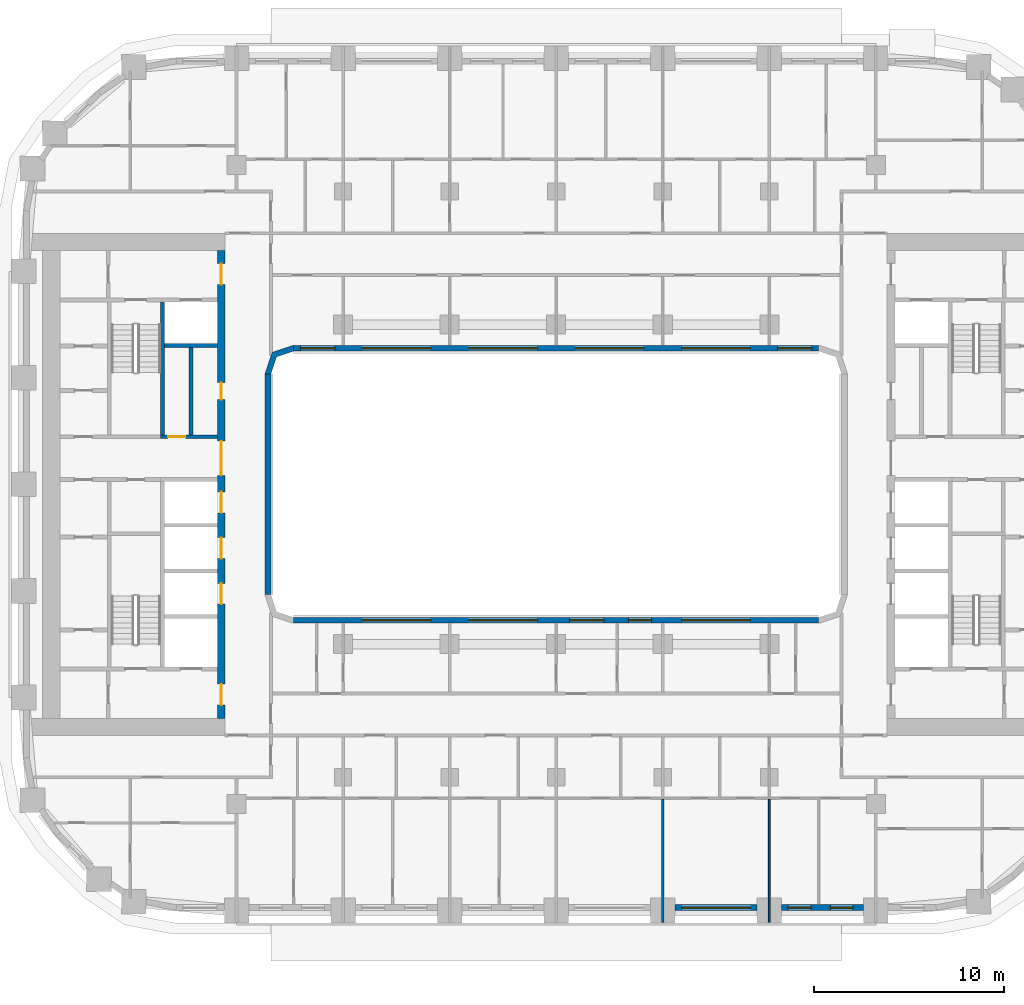
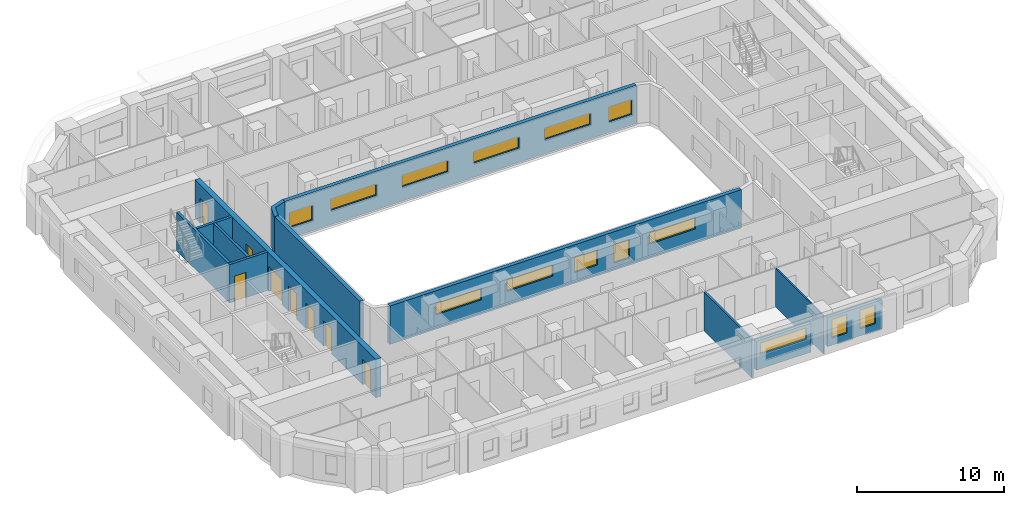
# One storey, part 5 of 22: 14 windows, 13 walls, 8 doors, 22 openings.
"""IFC4 building model written with IfcOpenShell, lengths in metres."""

import ifcopenshell
import ifcopenshell.guid

model = None  # the IFC model being written
_history = None  # IfcOwnerHistory: only IFC2X3 demands one
_inside = {}  # id of a spatial element -> (the spatial element, [elements in it])
_under = {}  # id of a project, library or spatial element -> (it, [spatial elements below it])
_declared = {}  # id of a project -> (the project, [libraries it declares])
_typed = {}  # id of a type object -> (the type object, [elements of that type])
_made_of = {}  # id of a material, layer set ... -> (it, [elements and type objects made of it])


def new_model(schema):
    """Start an empty IFC model of exactly this schema.

    Asked for "IFC4X3", IfcOpenShell would pick the latest addendum, in which some entities
    have other attributes; the version numbers below select the first issue.
    IFC2X3 requires an IfcOwnerHistory on every rooted entity: one is made here for all.
    """
    global model, _history
    if schema == "IFC4X3":
        model = ifcopenshell.file(schema_version=(4, 3, 0, 0))
    else:
        model = ifcopenshell.file(schema=schema)
    _inside.clear()
    _under.clear()
    _declared.clear()
    _typed.clear()
    _made_of.clear()
    _history = None
    if model.schema == "IFC2X3":
        org = make("IfcOrganization", Name="unknown")
        user = make(
            "IfcPersonAndOrganization",
            ThePerson=make("IfcPerson", FamilyName="unknown"),
            TheOrganization=org,
        )
        app = make(
            "IfcApplication",
            ApplicationDeveloper=org,
            Version="unknown",
            ApplicationFullName="unknown",
            ApplicationIdentifier="unknown",
        )
        _history = make(
            "IfcOwnerHistory",
            OwningUser=user,
            OwningApplication=app,
            ChangeAction="ADDED",
            CreationDate=0,
        )
    return model


def make(cls, **values):
    """One entity of the class cls with the attributes given. An attribute that is None is left unset."""
    return model.create_entity(
        cls, **{name: value for name, value in values.items() if value is not None}
    )


def rooted(cls, **values):
    """An entity with a GlobalId (a new one), such as an element, a storey or a relation."""
    return make(cls, GlobalId=ifcopenshell.guid.new(), OwnerHistory=_history, **values)


def si_unit(unit_type, name, prefix=None):
    """IfcSIUnit, for example si_unit("LENGTHUNIT", "METRE", prefix="MILLI")."""
    return make("IfcSIUnit", UnitType=unit_type, Prefix=prefix, Name=name)


def assignment(units):
    """IfcUnitAssignment: the units of a project."""
    return None if units is None else make("IfcUnitAssignment", Units=units)


def point(xyz):
    """IfcCartesianPoint."""
    return None if xyz is None else make("IfcCartesianPoint", Coordinates=xyz)


def direction(xyz):
    """IfcDirection."""
    return None if xyz is None else make("IfcDirection", DirectionRatios=xyz)


def frame(location, z_axis=None, x_axis=None):
    """IfcAxis2Placement3D, a coordinate frame: its origin and axes. An axis left out is left unset."""
    return make(
        "IfcAxis2Placement3D",
        Location=point(location),
        Axis=direction(z_axis),
        RefDirection=direction(x_axis),
    )


def frame_2d(location, x_axis=None):
    """IfcAxis2Placement2D, a coordinate frame in the plane: its origin and x axis."""
    return make(
        "IfcAxis2Placement2D", Location=point(location), RefDirection=direction(x_axis)
    )


def origin():
    """The frame at (0, 0, 0) with its axes left unset."""
    return frame((0.0, 0.0, 0.0))


def place(relative_to, where):
    """IfcLocalPlacement: puts the frame where relative to a parent placement (None: the world)."""
    return make(
        "IfcLocalPlacement", PlacementRelTo=relative_to, RelativePlacement=where
    )


def context(
    kind, dimensions, precision=None, world=None, true_north=None, identifier=None
):
    """IfcGeometricRepresentationContext, for example the 3D "Model" context."""
    return make(
        "IfcGeometricRepresentationContext",
        ContextIdentifier=identifier,
        ContextType=kind,
        CoordinateSpaceDimension=dimensions,
        Precision=precision,
        WorldCoordinateSystem=world,
        TrueNorth=true_north,
    )


def subcontext(parent, identifier, kind, view, scale=None):
    """IfcGeometricRepresentationSubContext, for example "Body" below "Model"."""
    return make(
        "IfcGeometricRepresentationSubContext",
        ContextIdentifier=identifier,
        ContextType=kind,
        ParentContext=parent,
        TargetScale=scale,
        TargetView=view,
    )


def project(units=None, contexts=None):
    """IfcProject with its units and contexts."""
    return rooted(
        "IfcProject",
        Name="project",
        RepresentationContexts=contexts,
        UnitsInContext=assignment(units),
    )


def spatial(cls, under=None, at=None, **own):
    """A site, building, storey or space (cls), placed at a placement, below another one or the project."""
    s = rooted(cls, ObjectPlacement=at, **own)
    if under is not None:
        _under.setdefault(under.id(), (under, []))[1].append(s)
    return s


def polyline(points):
    """IfcPolyline through the points."""
    return make("IfcPolyline", Points=[point(p) for p in points])


def profile(cls, at=None, kind="AREA", **sizes):
    """A parametric profile (cls). Its sizes go by their IFC names, for example OverallWidth=200.0."""
    return make(cls, ProfileType=kind, Position=at, **sizes)


def rectangle(**sizes):
    """IfcRectangleProfileDef."""
    return profile("IfcRectangleProfileDef", **sizes)


def outline(outer, holes=None, kind="AREA"):
    """IfcArbitraryClosedProfileDef: a profile drawn as a closed curve; with holes, ...WithVoids."""
    if holes is None:
        return make("IfcArbitraryClosedProfileDef", ProfileType=kind, OuterCurve=outer)
    return make(
        "IfcArbitraryProfileDefWithVoids",
        ProfileType=kind,
        OuterCurve=outer,
        InnerCurves=holes,
    )


def extrude(swept, where, along, depth):
    """IfcExtrudedAreaSolid: the profile swept, set in the frame where, extruded along a direction by depth."""
    return make(
        "IfcExtrudedAreaSolid",
        SweptArea=swept,
        Position=where,
        ExtrudedDirection=direction(along),
        Depth=depth,
    )


def shape(context_of_items, identifier, shape_type, items):
    """IfcShapeRepresentation: the items that make up one representation, for example the "Body"."""
    return make(
        "IfcShapeRepresentation",
        ContextOfItems=context_of_items,
        RepresentationIdentifier=identifier,
        RepresentationType=shape_type,
        Items=items,
    )


def material(Name=None, Category=None):
    """IfcMaterial."""
    return make("IfcMaterial", Name=Name, Category=Category)


def layer(
    of_material, thickness, ventilated=None, Name=None, Category=None, Priority=None
):
    """IfcMaterialLayer: one layer of a wall or slab, of a material (None: an air gap)."""
    return make(
        "IfcMaterialLayer",
        Material=of_material,
        LayerThickness=thickness,
        IsVentilated=ventilated,
        Name=Name,
        Category=Category,
        Priority=Priority,
    )


def layer_set(layers, Name=None):
    """IfcMaterialLayerSet."""
    return make("IfcMaterialLayerSet", MaterialLayers=layers, LayerSetName=Name)


def made_of(thing, what):
    """Note that an element or type object is made of a material, layer set ...; save() writes the relation."""
    if what is not None:
        _made_of.setdefault(what.id(), (what, []))[1].append(thing)
    return thing


def type_object(cls, material=None, **own):
    """A type object (cls), such as IfcWallType, which elements share."""
    return made_of(rooted(cls, **own), material)


def element(
    cls,
    number,
    at=None,
    inside=None,
    cuts=None,
    type_object=None,
    material=None,
    context=None,
    identifier="Body",
    shape_type=None,
    held_by="IfcProductDefinitionShape",
    body=None,
    shapes=None,
    **own,
):
    """One element of the class cls, such as IfcWall. Its Tag is "e" and its number.

    at: its placement. inside: the storey or other place that contains it. cuts: it is an
    opening in that element (IfcRelVoidsElement). A single representation is given by context,
    identifier, shape_type and body (its items); several are given by shapes. held_by: the class
    of the entity that holds the representations. save() writes the other relations.
    """
    e = rooted(cls, Tag="e%d" % number, ObjectPlacement=at, **own)
    if body is not None:
        shapes = [shape(context, identifier, shape_type, body)]
    if shapes is not None:
        e.Representation = make(held_by, Representations=shapes)
    if inside is not None:
        _inside.setdefault(inside.id(), (inside, []))[1].append(e)
    if cuts is not None:
        rooted(
            "IfcRelVoidsElement", RelatingBuildingElement=cuts, RelatedOpeningElement=e
        )
    if type_object is not None:
        _typed.setdefault(type_object.id(), (type_object, []))[1].append(e)
    return made_of(e, material)


def fill(opening, filler):
    """IfcRelFillsElement: the door or window that sits in an opening."""
    return rooted(
        "IfcRelFillsElement",
        RelatingOpeningElement=opening,
        RelatedBuildingElement=filler,
    )


def aggregate(whole, parts):
    """IfcRelAggregates: a whole, such as a stair, and the parts it consists of."""
    return rooted("IfcRelAggregates", RelatingObject=whole, RelatedObjects=parts)


def save(model, path):
    """Write the relations noted so far, then the file.

    IfcRelAggregates (storeys below a building ...), IfcRelContainedInSpatialStructure (elements
    in a storey), IfcRelDefinesByType, IfcRelAssociatesMaterial and IfcRelDeclares: one each for
    every whole, place, type object, material and project.
    """
    for whole, parts in _under.values():
        aggregate(whole, parts)
    for where, things in _inside.values():
        rooted(
            "IfcRelContainedInSpatialStructure",
            RelatedElements=things,
            RelatingStructure=where,
        )
    for kind, things in _typed.values():
        rooted("IfcRelDefinesByType", RelatedObjects=things, RelatingType=kind)
    for what, things in _made_of.values():
        rooted("IfcRelAssociatesMaterial", RelatedObjects=things, RelatingMaterial=what)
    for by, libraries in _declared.values():
        rooted("IfcRelDeclares", RelatingContext=by, RelatedDefinitions=libraries)
    model.write(path)


model = new_model("IFC4")

# Units and contexts
model_context = context("Model", 3, precision=1e-05, world=origin(), true_north=direction((0.0, 1.0)))
body_context = subcontext(model_context, "Body", "Model", "MODEL_VIEW")
ifc_project = project(units=[si_unit("LENGTHUNIT", "METRE"), si_unit("AREAUNIT", "SQUARE_METRE"), si_unit("VOLUMEUNIT", "CUBIC_METRE"), si_unit("PLANEANGLEUNIT", "RADIAN"), si_unit("MASSUNIT", "GRAM", prefix="KILO")], contexts=[model_context])

# Site, building, storey
site_placement = place(None, origin())
site = spatial("IfcSite", under=ifc_project, at=site_placement, CompositionType="ELEMENT")
building_placement = place(site_placement, origin())
building = spatial("IfcBuilding", under=site, at=building_placement, Name="Kiln Ring Residences", CompositionType="ELEMENT")
storey_placement = place(building_placement, frame((0.0, 0.0, 90.300048828125)))
storey = spatial("IfcBuildingStorey", under=building, at=storey_placement, Name="L22", CompositionType="ELEMENT", Elevation=90.300048828125)

# Wall
ifc_material_1 = material(Name="Gypsum board on steel studs", Category="steel")
ifc_layer_1 = layer(ifc_material_1, 0.199951171875)
ifc_layer_set_1 = layer_set([ifc_layer_1], Name="CORE-PARTITION-200")
wall_type_1 = type_object("IfcWallType", Name="CORE-PARTITION-200", PredefinedType="PARTITIONING", material=ifc_layer_set_1)
wall_1_placement = place(storey_placement, frame((-19.199951171875, 2.60009765625, 0.0), z_axis=(0.0, 0.0, 1.0), x_axis=(0.0, 1.0, 0.0)))
element("IfcWall", 1, at=wall_1_placement, inside=storey, type_object=wall_type_1, Name="Core partition west L22 3", PredefinedType="PARTITIONING", context=body_context, shape_type="SweptSolid", body=[
    extrude(rectangle(XDim=4.599853515625, YDim=0.199951171875, at=frame_2d((2.2998046875, 0.0))), origin(), (0.0, 0.0, 1.0), 3.199951171875),
])

# Wall, opening, door
ifc_material_2 = material(Name="Gypsum shaft wall system")
ifc_layer_2 = layer(ifc_material_2, 0.199951171875)
ifc_layer_set_2 = layer_set([ifc_layer_2], Name="CORE-SHAFT-WALL-200")
wall_type_2 = type_object("IfcWallType", Name="CORE-SHAFT-WALL-200", PredefinedType="PARTITIONING", material=ifc_layer_set_2)
wall_2_placement = place(storey_placement, frame((-17.800048828125, 2.5, 0.0), z_axis=(0.0, 0.0, 1.0), x_axis=(-1.0, 0.0, 0.0)))
wall_2 = element("IfcWall", 2, at=wall_2_placement, inside=storey, type_object=wall_type_2, Name="Core partition west L22 14", PredefinedType="PARTITIONING", context=body_context, shape_type="SweptSolid", body=[
    extrude(rectangle(XDim=3.0, YDim=0.199951171875, at=frame_2d((1.5, 0.0))), origin(), (0.0, 0.0, 1.0), 3.199951171875),
])
opening_1_placement = place(wall_2_placement, frame((1.699951171875, 0.0, 0.0)))
opening_1 = element("IfcOpeningElement", 3, at=opening_1_placement, cuts=wall_2, Name="Opening L22-CW06", PredefinedType="OPENING", context=body_context, shape_type="SweptSolid", body=[
    extrude(rectangle(XDim=0.89990234375, YDim=2.10009765625, at=frame_2d((0.449951171875, 1.050048828125))), frame((0.0, 0.10986328125, 0.0), z_axis=(0.0, -1.0, 0.0), x_axis=(1.0, 0.0, 0.0)), (0.0, 0.0, 1.0), 0.219970703125),
])
ifc_material_3 = material(Name="Steel door leaf", Category="steel")
door_type_1 = type_object("IfcDoorType", Name="CORE-DOOR-ROOM", OperationType="SINGLE_SWING_LEFT", PredefinedType="DOOR", material=ifc_material_3)
door_1_placement = place(opening_1_placement, origin())
door_1 = element("IfcDoor", 4, at=door_1_placement, inside=storey, type_object=door_type_1, Name="Cleaner's store L22-CW06", OperationType="SINGLE_SWING_LEFT", OverallHeight=2.10009765625, OverallWidth=0.89990234375, PredefinedType="DOOR", context=body_context, shape_type="SweptSolid", body=[
    extrude(rectangle(XDim=0.89990234375, YDim=2.10009765625, at=frame_2d((0.449951171875, 1.050048828125))), frame((0.0, 0.02490234375, 0.0), z_axis=(0.0, -1.0, 0.0), x_axis=(1.0, 0.0, 0.0)), (0.0, 0.0, 1.0), 0.050048828125),
])
fill(opening_1, door_1)

# Walls
wall_3_placement = place(storey_placement, frame((-17.800048828125, 7.300048828125, 0.0), z_axis=(0.0, 0.0, 1.0), x_axis=(-1.0, 0.0, 0.0)))
element("IfcWall", 5, at=wall_3_placement, inside=storey, type_object=wall_type_2, Name="Core partition west L22 15", PredefinedType="PARTITIONING", context=body_context, shape_type="SweptSolid", body=[
    extrude(rectangle(XDim=2.800048828125, YDim=0.199951171875, at=frame_2d((1.39990234375, 0.0))), origin(), (0.0, 0.0, 1.0), 3.199951171875),
])
ifc_material_4 = material(Name="Concrete C40/50", Category="concrete")
ifc_layer_3 = layer(ifc_material_4, 0.199951171875)
ifc_layer_set_3 = layer_set([ifc_layer_3], Name="CORE-WALL-RC200")
wall_type_3 = type_object("IfcWallType", Name="CORE-WALL-RC200", PredefinedType="SHEAR", material=ifc_layer_set_3)
wall_4_placement = place(storey_placement, frame((-20.699951171875, 2.60009765625, 0.0), z_axis=(0.0, 0.0, 1.0), x_axis=(0.0, 1.0, 0.0)))
element("IfcWall", 6, at=wall_4_placement, inside=storey, type_object=wall_type_3, Name="Core wall west L22 1", PredefinedType="SHEAR", context=body_context, shape_type="SweptSolid", body=[
    extrude(rectangle(XDim=7.0, YDim=0.199951171875, at=frame_2d((3.5, 0.0))), origin(), (0.0, 0.0, 1.0), 3.199951171875),
])

# Wall, openings, doors
ifc_material_5 = material(Name="Concrete C60/75", Category="concrete")
ifc_layer_4 = layer(ifc_material_5, 0.39990234375)
ifc_layer_set_4 = layer_set([ifc_layer_4], Name="CORE-WALL-RC400")
wall_type_4 = type_object("IfcWallType", Name="CORE-WALL-RC400", PredefinedType="SHEAR", material=ifc_layer_set_4)
wall_5_placement = place(storey_placement, frame((-17.60009765625, -12.300048828125, 0.0), z_axis=(0.0, 0.0, 1.0), x_axis=(0.0, 1.0, 0.0)))
wall_5 = element("IfcWall", 7, at=wall_5_placement, inside=storey, type_object=wall_type_4, Name="Core wall west L22 6", PredefinedType="SHEAR", context=body_context, shape_type="SweptSolid", body=[
    extrude(rectangle(XDim=24.60009765625, YDim=0.39990234375, at=frame_2d((12.300048828125, 0.0))), origin(), (0.0, 0.0, 1.0), 3.199951171875),
])
opening_2_placement = place(wall_5_placement, frame((6.0, 0.0, 0.0)))
opening_2 = element("IfcOpeningElement", 8, at=opening_2_placement, cuts=wall_5, Name="Opening L22-CW02", PredefinedType="OPENING", context=body_context, shape_type="SweptSolid", body=[
    extrude(rectangle(XDim=1.10009765625, YDim=2.10009765625, at=frame_2d((0.550048828125, 1.050048828125))), frame((0.0, 0.2099609375, 0.0), z_axis=(0.0, -1.0, 0.0), x_axis=(1.0, 0.0, 0.0)), (0.0, 0.0, 1.0), 0.419921875),
])
opening_3_placement = place(wall_5_placement, frame((8.39990234375, 0.0, 0.0)))
opening_3 = element("IfcOpeningElement", 9, at=opening_3_placement, cuts=wall_5, Name="Opening L22-CW03", PredefinedType="OPENING", context=body_context, shape_type="SweptSolid", body=[
    extrude(rectangle(XDim=1.10009765625, YDim=2.10009765625, at=frame_2d((0.550048828125, 1.050048828125))), frame((0.0, 0.2099609375, 0.0), z_axis=(0.0, -1.0, 0.0), x_axis=(1.0, 0.0, 0.0)), (0.0, 0.0, 1.0), 0.419921875),
])
opening_4_placement = place(wall_5_placement, frame((10.800048828125, 0.0, 0.0)))
opening_4 = element("IfcOpeningElement", 10, at=opening_4_placement, cuts=wall_5, Name="Opening L22-CW04", PredefinedType="OPENING", context=body_context, shape_type="SweptSolid", body=[
    extrude(rectangle(XDim=1.10009765625, YDim=2.10009765625, at=frame_2d((0.550048828125, 1.050048828125))), frame((0.0, 0.2099609375, 0.0), z_axis=(0.0, -1.0, 0.0), x_axis=(1.0, 0.0, 0.0)), (0.0, 0.0, 1.0), 0.419921875),
])
opening_5_placement = place(wall_5_placement, frame((16.75, 0.0, 0.0)))
opening_5 = element("IfcOpeningElement", 11, at=opening_5_placement, cuts=wall_5, Name="Opening L22-CW05", PredefinedType="OPENING", context=body_context, shape_type="SweptSolid", body=[
    extrude(rectangle(XDim=0.89990234375, YDim=2.10009765625, at=frame_2d((0.449951171875, 1.050048828125))), frame((0.0, 0.2099609375, 0.0), z_axis=(0.0, -1.0, 0.0), x_axis=(1.0, 0.0, 0.0)), (0.0, 0.0, 1.0), 0.419921875),
])
opening_6_placement = place(wall_5_placement, frame((22.800048828125, 0.0, 0.0)))
opening_6 = element("IfcOpeningElement", 12, at=opening_6_placement, cuts=wall_5, Name="Opening L22-CW08", PredefinedType="OPENING", context=body_context, shape_type="SweptSolid", body=[
    extrude(rectangle(XDim=1.10009765625, YDim=2.10009765625, at=frame_2d((0.550048828125, 1.050048828125))), frame((0.0, 0.2099609375, 0.0), z_axis=(0.0, -1.0, 0.0), x_axis=(1.0, 0.0, 0.0)), (0.0, 0.0, 1.0), 0.419921875),
])
opening_7_placement = place(wall_5_placement, frame((0.699951171875, 0.0, 0.0)))
opening_7 = element("IfcOpeningElement", 13, at=opening_7_placement, cuts=wall_5, Name="Opening L22-CW09", PredefinedType="OPENING", context=body_context, shape_type="SweptSolid", body=[
    extrude(rectangle(XDim=1.10009765625, YDim=2.10009765625, at=frame_2d((0.550048828125, 1.050048828125))), frame((0.0, 0.2099609375, 0.0), z_axis=(0.0, -1.0, 0.0), x_axis=(1.0, 0.0, 0.0)), (0.0, 0.0, 1.0), 0.419921875),
])
opening_8_placement = place(wall_5_placement, frame((12.77490234375, 0.0, 0.0)))
opening_8 = element("IfcOpeningElement", 14, at=opening_8_placement, cuts=wall_5, Name="Opening L22-CW14", PredefinedType="OPENING", context=body_context, shape_type="SweptSolid", body=[
    extrude(rectangle(XDim=1.800048828125, YDim=2.10009765625, at=frame_2d((0.89990234375, 1.050048828125))), frame((0.0, 0.2099609375, 0.0), z_axis=(0.0, -1.0, 0.0), x_axis=(1.0, 0.0, 0.0)), (0.0, 0.0, 1.0), 0.419921875),
])
ifc_material_6 = material(Name="Steel door leaf", Category="steel")
door_type_2 = type_object("IfcDoorType", Name="CORE-DOOR-LD", OperationType="DOUBLE_DOOR_SLIDING", PredefinedType="DOOR", material=ifc_material_6)
door_2_placement = place(opening_2_placement, origin())
door_2 = element("IfcDoor", 15, at=door_2_placement, inside=storey, type_object=door_type_2, Name="LD W-L1 L22-CW02", OperationType="DOUBLE_DOOR_SLIDING", OverallHeight=2.10009765625, OverallWidth=1.10009765625, PredefinedType="DOOR", context=body_context, shape_type="SweptSolid", body=[
    extrude(rectangle(XDim=1.10009765625, YDim=2.10009765625, at=frame_2d((0.550048828125, 1.050048828125))), frame((0.0, 0.02490234375, 0.0), z_axis=(0.0, -1.0, 0.0), x_axis=(1.0, 0.0, 0.0)), (0.0, 0.0, 1.0), 0.050048828125),
])
fill(opening_2, door_2)
door_3_placement = place(opening_3_placement, origin())
door_3 = element("IfcDoor", 16, at=door_3_placement, inside=storey, type_object=door_type_2, Name="LD W-L2 L22-CW03", OperationType="DOUBLE_DOOR_SLIDING", OverallHeight=2.10009765625, OverallWidth=1.10009765625, PredefinedType="DOOR", context=body_context, shape_type="SweptSolid", body=[
    extrude(rectangle(XDim=1.10009765625, YDim=2.10009765625, at=frame_2d((0.550048828125, 1.050048828125))), frame((0.0, 0.02490234375, 0.0), z_axis=(0.0, -1.0, 0.0), x_axis=(1.0, 0.0, 0.0)), (0.0, 0.0, 1.0), 0.050048828125),
])
fill(opening_3, door_3)
door_4_placement = place(opening_4_placement, origin())
door_4 = element("IfcDoor", 17, at=door_4_placement, inside=storey, type_object=door_type_2, Name="LD W-L3 L22-CW04", OperationType="DOUBLE_DOOR_SLIDING", OverallHeight=2.10009765625, OverallWidth=1.10009765625, PredefinedType="DOOR", context=body_context, shape_type="SweptSolid", body=[
    extrude(rectangle(XDim=1.10009765625, YDim=2.10009765625, at=frame_2d((0.550048828125, 1.050048828125))), frame((0.0, 0.02490234375, 0.0), z_axis=(0.0, -1.0, 0.0), x_axis=(1.0, 0.0, 0.0)), (0.0, 0.0, 1.0), 0.050048828125),
])
fill(opening_4, door_4)
ifc_material_7 = material(Name="Steel door leaf", Category="steel")
door_type_3 = type_object("IfcDoorType", Name="CORE-DOOR-LOBBY", OperationType="SINGLE_SWING_LEFT", PredefinedType="DOOR", material=ifc_material_7)
door_5_placement = place(opening_6_placement, origin())
door_5 = element("IfcDoor", 18, at=door_5_placement, inside=storey, type_object=door_type_3, Name="FFL L22-CW08", OperationType="SINGLE_SWING_LEFT", OverallHeight=2.10009765625, OverallWidth=1.10009765625, PredefinedType="DOOR", context=body_context, shape_type="SweptSolid", body=[
    extrude(rectangle(XDim=1.10009765625, YDim=2.10009765625, at=frame_2d((0.550048828125, 1.050048828125))), frame((0.0, 0.02490234375, 0.0), z_axis=(0.0, -1.0, 0.0), x_axis=(1.0, 0.0, 0.0)), (0.0, 0.0, 1.0), 0.050048828125),
])
fill(opening_6, door_5)
door_6_placement = place(opening_7_placement, origin())
door_6 = element("IfcDoor", 19, at=door_6_placement, inside=storey, type_object=door_type_3, Name="SVL L22-CW09", OperationType="SINGLE_SWING_RIGHT", OverallHeight=2.10009765625, OverallWidth=1.10009765625, PredefinedType="DOOR", context=body_context, shape_type="SweptSolid", body=[
    extrude(rectangle(XDim=1.10009765625, YDim=2.10009765625, at=frame_2d((0.550048828125, 1.050048828125))), frame((0.0, 0.02490234375, 0.0), z_axis=(0.0, -1.0, 0.0), x_axis=(1.0, 0.0, 0.0)), (0.0, 0.0, 1.0), 0.050048828125),
])
fill(opening_7, door_6)
ifc_material_8 = material(Name="Steel door leaf", Category="steel")
door_type_4 = type_object("IfcDoorType", Name="CORE-DOOR-PASS", OperationType="DOUBLE_DOOR_SINGLE_SWING", PredefinedType="DOOR", material=ifc_material_8)
door_7_placement = place(opening_8_placement, origin())
door_7 = element("IfcDoor", 20, at=door_7_placement, inside=storey, type_object=door_type_4, Name="Core passage L22-CW14", OperationType="DOUBLE_DOOR_SINGLE_SWING", OverallHeight=2.10009765625, OverallWidth=1.800048828125, PredefinedType="DOOR", context=body_context, shape_type="SweptSolid", body=[
    extrude(rectangle(XDim=1.800048828125, YDim=2.10009765625, at=frame_2d((0.89990234375, 1.050048828125))), frame((0.0, 0.02490234375, 0.0), z_axis=(0.0, -1.0, 0.0), x_axis=(1.0, 0.0, 0.0)), (0.0, 0.0, 1.0), 0.050048828125),
])
fill(opening_8, door_7)
door_8_placement = place(opening_5_placement, origin())
door_8 = element("IfcDoor", 21, at=door_8_placement, inside=storey, type_object=door_type_1, Name="Storage room L22-CW05", OperationType="SINGLE_SWING_LEFT", OverallHeight=2.10009765625, OverallWidth=0.89990234375, PredefinedType="DOOR", context=body_context, shape_type="SweptSolid", body=[
    extrude(rectangle(XDim=0.89990234375, YDim=2.10009765625, at=frame_2d((0.449951171875, 1.050048828125))), frame((0.0, 0.02490234375, 0.0), z_axis=(0.0, -1.0, 0.0), x_axis=(1.0, 0.0, 0.0)), (0.0, 0.0, 1.0), 0.050048828125),
])
fill(opening_5, door_8)

# Wall, opening, window
ifc_material_9 = material(Name="Brick masonry, dark clay brick", Category="masonry")
ifc_layer_5 = layer(ifc_material_9, 0.300048828125)
ifc_layer_set_5 = layer_set([ifc_layer_5], Name="EW-300 BRICK WALL")
wall_type_5 = type_object("IfcWallType", Name="EW-300 BRICK WALL", PredefinedType="SOLIDWALL", material=ifc_layer_set_5)
wall_6_placement = place(storey_placement, frame((6.25, -22.25, 0.0), z_axis=(0.0, 0.0, 1.0), x_axis=(1.0, 0.0, 0.0)))
wall_6 = element("IfcWall", 22, at=wall_6_placement, inside=storey, type_object=wall_type_5, Name="Facade wall L22 9", PredefinedType="SOLIDWALL", context=body_context, shape_type="SweptSolid", body=[
    extrude(rectangle(XDim=4.300048828125, YDim=0.300048828125, at=frame_2d((2.14990234375, 0.0))), origin(), (0.0, 0.0, 1.0), 2.39990234375),
])
opening_9_placement = place(wall_6_placement, frame((0.35009765625, 0.0, 1.199951171875)))
opening_9 = element("IfcOpeningElement", 23, at=opening_9_placement, cuts=wall_6, Name="Opening W4", PredefinedType="OPENING", context=body_context, shape_type="SweptSolid", body=[
    extrude(rectangle(XDim=3.60009765625, YDim=0.949951171875, at=frame_2d((1.800048828125, 0.47509765625))), frame((0.0, 0.159912109375, 0.0), z_axis=(0.0, -1.0, 0.0), x_axis=(1.0, 0.0, 0.0)), (0.0, 0.0, 1.0), 0.320068359375),
])
ifc_material_10 = material(Name="Aluminium frame with double glazing", Category="aluminium")
window_type_1 = type_object("IfcWindowType", Name="WINDOW 3600 x 950", PartitioningType="SINGLE_PANEL", PredefinedType="WINDOW", material=ifc_material_10)
window_1_placement = place(opening_9_placement, origin())
window_1 = element("IfcWindow", 24, at=window_1_placement, inside=storey, type_object=window_type_1, Name="Window L22 10", OverallHeight=0.949951171875, OverallWidth=3.60009765625, PartitioningType="SINGLE_PANEL", PredefinedType="WINDOW", context=body_context, shape_type="SweptSolid", body=[
    extrude(rectangle(XDim=3.60009765625, YDim=0.949951171875, at=frame_2d((1.800048828125, 0.47509765625))), frame((0.0, 0.030029296875, 0.0), z_axis=(0.0, -1.0, 0.0), x_axis=(1.0, 0.0, 0.0)), (0.0, 0.0, 1.0), 0.06005859375),
])
fill(opening_9, window_1)

# Wall, openings, windows
wall_7_placement = place(storey_placement, frame((11.85009765625, -22.25, 0.0), z_axis=(0.0, 0.0, 1.0), x_axis=(1.0, 0.0, 0.0)))
wall_7 = element("IfcWall", 25, at=wall_7_placement, inside=storey, type_object=wall_type_5, Name="Facade wall L22 10", PredefinedType="SOLIDWALL", context=body_context, shape_type="SweptSolid", body=[
    extrude(rectangle(XDim=4.2998046875, YDim=0.300048828125, at=frame_2d((2.14990234375, 0.0))), origin(), (0.0, 0.0, 1.0), 2.39990234375),
])
opening_10_placement = place(wall_7_placement, frame((0.33740234375, 0.0, 0.60009765625)))
opening_10 = element("IfcOpeningElement", 26, at=opening_10_placement, cuts=wall_7, Name="Opening W1", PredefinedType="OPENING", context=body_context, shape_type="SweptSolid", body=[
    extrude(rectangle(XDim=1.199951171875, YDim=1.550048828125, at=frame_2d((0.60009765625, 0.77490234375))), frame((0.0, 0.159912109375, 0.0), z_axis=(0.0, -1.0, 0.0), x_axis=(1.0, 0.0, 0.0)), (0.0, 0.0, 1.0), 0.320068359375),
])
opening_11_placement = place(wall_7_placement, frame((2.5625, 0.0, 0.60009765625)))
opening_11 = element("IfcOpeningElement", 27, at=opening_11_placement, cuts=wall_7, Name="Opening W1", PredefinedType="OPENING", context=body_context, shape_type="SweptSolid", body=[
    extrude(rectangle(XDim=1.199951171875, YDim=1.550048828125, at=frame_2d((0.60009765625, 0.77490234375))), frame((0.0, 0.159912109375, 0.0), z_axis=(0.0, -1.0, 0.0), x_axis=(1.0, 0.0, 0.0)), (0.0, 0.0, 1.0), 0.320068359375),
])
ifc_material_11 = material(Name="Aluminium frame with double glazing", Category="aluminium")
window_type_2 = type_object("IfcWindowType", Name="WINDOW 1200 x 1550", PartitioningType="SINGLE_PANEL", PredefinedType="WINDOW", material=ifc_material_11)
window_2_placement = place(opening_10_placement, origin())
window_2 = element("IfcWindow", 28, at=window_2_placement, inside=storey, type_object=window_type_2, Name="Window L22 11", OverallHeight=1.550048828125, OverallWidth=1.199951171875, PartitioningType="SINGLE_PANEL", PredefinedType="WINDOW", context=body_context, shape_type="SweptSolid", body=[
    extrude(rectangle(XDim=1.199951171875, YDim=1.550048828125, at=frame_2d((0.60009765625, 0.77490234375))), frame((0.0, 0.030029296875, 0.0), z_axis=(0.0, -1.0, 0.0), x_axis=(1.0, 0.0, 0.0)), (0.0, 0.0, 1.0), 0.06005859375),
])
fill(opening_10, window_2)
window_3_placement = place(opening_11_placement, origin())
window_3 = element("IfcWindow", 29, at=window_3_placement, inside=storey, type_object=window_type_2, Name="Window L22 12", OverallHeight=1.550048828125, OverallWidth=1.199951171875, PartitioningType="SINGLE_PANEL", PredefinedType="WINDOW", context=body_context, shape_type="SweptSolid", body=[
    extrude(rectangle(XDim=1.199951171875, YDim=1.550048828125, at=frame_2d((0.60009765625, 0.77490234375))), frame((0.0, 0.030029296875, 0.0), z_axis=(0.0, -1.0, 0.0), x_axis=(1.0, 0.0, 0.0)), (0.0, 0.0, 1.0), 0.06005859375),
])
fill(opening_11, window_3)

# Wall
wall_8_placement = place(storey_placement, frame((-15.14990234375, -5.800048828125, 0.0), z_axis=(0.0, 0.0, 1.0), x_axis=(0.0, 1.0, 0.0)))
element("IfcWall", 30, at=wall_8_placement, inside=storey, type_object=wall_type_5, Name="Facade wall L22 49", PredefinedType="SOLIDWALL", context=body_context, shape_type="SweptSolid", body=[
    extrude(rectangle(XDim=11.60009765625, YDim=0.300048828125, at=frame_2d((5.800048828125, 0.0))), origin(), (0.0, 0.0, 1.0), 3.199951171875),
])

# Wall, openings, windows
wall_9_placement = place(storey_placement, frame((-13.800048828125, 7.14990234375, 0.0), z_axis=(0.0, 0.0, 1.0), x_axis=(1.0, 0.0, 0.0)))
wall_9 = element("IfcWall", 31, at=wall_9_placement, inside=storey, type_object=wall_type_5, Name="Facade wall L22 50", PredefinedType="SOLIDWALL", context=body_context, shape_type="SweptSolid", body=[
    extrude(rectangle(XDim=27.60009765625, YDim=0.300048828125, at=frame_2d((13.800048828125, 0.0))), origin(), (0.0, 0.0, 1.0), 3.199951171875),
])
opening_12_placement = place(wall_9_placement, frame((0.362548828125, 0.0, 0.89990234375)))
opening_12 = element("IfcOpeningElement", 32, at=opening_12_placement, cuts=wall_9, Name="Opening W2", PredefinedType="OPENING", context=body_context, shape_type="SweptSolid", body=[
    extrude(rectangle(XDim=1.800048828125, YDim=1.25, at=frame_2d((0.89990234375, 0.625))), frame((0.0, 0.159912109375, 0.0), z_axis=(0.0, -1.0, 0.0), x_axis=(1.0, 0.0, 0.0)), (0.0, 0.0, 1.0), 0.320068359375),
])
opening_13_placement = place(wall_9_placement, frame((3.60009765625, 0.0, 1.199951171875)))
opening_13 = element("IfcOpeningElement", 33, at=opening_13_placement, cuts=wall_9, Name="Opening W4", PredefinedType="OPENING", context=body_context, shape_type="SweptSolid", body=[
    extrude(rectangle(XDim=3.60009765625, YDim=0.949951171875, at=frame_2d((1.800048828125, 0.47509765625))), frame((0.0, 0.159912109375, 0.0), z_axis=(0.0, -1.0, 0.0), x_axis=(1.0, 0.0, 0.0)), (0.0, 0.0, 1.0), 0.320068359375),
])
opening_14_placement = place(wall_9_placement, frame((9.199951171875, 0.0, 1.199951171875)))
opening_14 = element("IfcOpeningElement", 34, at=opening_14_placement, cuts=wall_9, Name="Opening W4", PredefinedType="OPENING", context=body_context, shape_type="SweptSolid", body=[
    extrude(rectangle(XDim=3.60009765625, YDim=0.949951171875, at=frame_2d((1.800048828125, 0.47509765625))), frame((0.0, 0.159912109375, 0.0), z_axis=(0.0, -1.0, 0.0), x_axis=(1.0, 0.0, 0.0)), (0.0, 0.0, 1.0), 0.320068359375),
])
opening_15_placement = place(wall_9_placement, frame((14.800048828125, 0.0, 1.199951171875)))
opening_15 = element("IfcOpeningElement", 35, at=opening_15_placement, cuts=wall_9, Name="Opening W4", PredefinedType="OPENING", context=body_context, shape_type="SweptSolid", body=[
    extrude(rectangle(XDim=3.60009765625, YDim=0.949951171875, at=frame_2d((1.800048828125, 0.47509765625))), frame((0.0, 0.159912109375, 0.0), z_axis=(0.0, -1.0, 0.0), x_axis=(1.0, 0.0, 0.0)), (0.0, 0.0, 1.0), 0.320068359375),
])
opening_16_placement = place(wall_9_placement, frame((20.39990234375, 0.0, 1.199951171875)))
opening_16 = element("IfcOpeningElement", 36, at=opening_16_placement, cuts=wall_9, Name="Opening W4", PredefinedType="OPENING", context=body_context, shape_type="SweptSolid", body=[
    extrude(rectangle(XDim=3.60009765625, YDim=0.949951171875, at=frame_2d((1.800048828125, 0.47509765625))), frame((0.0, 0.159912109375, 0.0), z_axis=(0.0, -1.0, 0.0), x_axis=(1.0, 0.0, 0.0)), (0.0, 0.0, 1.0), 0.320068359375),
])
opening_17_placement = place(wall_9_placement, frame((25.4375, 0.0, 0.89990234375)))
opening_17 = element("IfcOpeningElement", 37, at=opening_17_placement, cuts=wall_9, Name="Opening W2", PredefinedType="OPENING", context=body_context, shape_type="SweptSolid", body=[
    extrude(rectangle(XDim=1.800048828125, YDim=1.25, at=frame_2d((0.89990234375, 0.625))), frame((0.0, 0.159912109375, 0.0), z_axis=(0.0, -1.0, 0.0), x_axis=(1.0, 0.0, 0.0)), (0.0, 0.0, 1.0), 0.320068359375),
])
ifc_material_12 = material(Name="Aluminium frame with double glazing", Category="aluminium")
window_type_3 = type_object("IfcWindowType", Name="WINDOW 1800 x 1250", PartitioningType="SINGLE_PANEL", PredefinedType="WINDOW", material=ifc_material_12)
window_4_placement = place(opening_12_placement, origin())
window_4 = element("IfcWindow", 38, at=window_4_placement, inside=storey, type_object=window_type_3, Name="Window L22 29", OverallHeight=1.25, OverallWidth=1.800048828125, PartitioningType="SINGLE_PANEL", PredefinedType="WINDOW", context=body_context, shape_type="SweptSolid", body=[
    extrude(rectangle(XDim=1.800048828125, YDim=1.25, at=frame_2d((0.89990234375, 0.625))), frame((0.0, 0.030029296875, 0.0), z_axis=(0.0, -1.0, 0.0), x_axis=(1.0, 0.0, 0.0)), (0.0, 0.0, 1.0), 0.06005859375),
])
fill(opening_12, window_4)
window_5_placement = place(opening_17_placement, origin())
window_5 = element("IfcWindow", 39, at=window_5_placement, inside=storey, type_object=window_type_3, Name="Window L22 34", OverallHeight=1.25, OverallWidth=1.800048828125, PartitioningType="SINGLE_PANEL", PredefinedType="WINDOW", context=body_context, shape_type="SweptSolid", body=[
    extrude(rectangle(XDim=1.800048828125, YDim=1.25, at=frame_2d((0.89990234375, 0.625))), frame((0.0, 0.030029296875, 0.0), z_axis=(0.0, -1.0, 0.0), x_axis=(1.0, 0.0, 0.0)), (0.0, 0.0, 1.0), 0.06005859375),
])
fill(opening_17, window_5)
window_6_placement = place(opening_13_placement, origin())
window_6 = element("IfcWindow", 40, at=window_6_placement, inside=storey, type_object=window_type_1, Name="Window L22 30", OverallHeight=0.949951171875, OverallWidth=3.60009765625, PartitioningType="SINGLE_PANEL", PredefinedType="WINDOW", context=body_context, shape_type="SweptSolid", body=[
    extrude(rectangle(XDim=3.60009765625, YDim=0.949951171875, at=frame_2d((1.800048828125, 0.47509765625))), frame((0.0, 0.030029296875, 0.0), z_axis=(0.0, -1.0, 0.0), x_axis=(1.0, 0.0, 0.0)), (0.0, 0.0, 1.0), 0.06005859375),
])
fill(opening_13, window_6)
window_7_placement = place(opening_14_placement, origin())
window_7 = element("IfcWindow", 41, at=window_7_placement, inside=storey, type_object=window_type_1, Name="Window L22 31", OverallHeight=0.949951171875, OverallWidth=3.60009765625, PartitioningType="SINGLE_PANEL", PredefinedType="WINDOW", context=body_context, shape_type="SweptSolid", body=[
    extrude(rectangle(XDim=3.60009765625, YDim=0.949951171875, at=frame_2d((1.800048828125, 0.47509765625))), frame((0.0, 0.030029296875, 0.0), z_axis=(0.0, -1.0, 0.0), x_axis=(1.0, 0.0, 0.0)), (0.0, 0.0, 1.0), 0.06005859375),
])
fill(opening_14, window_7)
window_8_placement = place(opening_15_placement, origin())
window_8 = element("IfcWindow", 42, at=window_8_placement, inside=storey, type_object=window_type_1, Name="Window L22 32", OverallHeight=0.949951171875, OverallWidth=3.60009765625, PartitioningType="SINGLE_PANEL", PredefinedType="WINDOW", context=body_context, shape_type="SweptSolid", body=[
    extrude(rectangle(XDim=3.60009765625, YDim=0.949951171875, at=frame_2d((1.800048828125, 0.47509765625))), frame((0.0, 0.030029296875, 0.0), z_axis=(0.0, -1.0, 0.0), x_axis=(1.0, 0.0, 0.0)), (0.0, 0.0, 1.0), 0.06005859375),
])
fill(opening_15, window_8)
window_9_placement = place(opening_16_placement, origin())
window_9 = element("IfcWindow", 43, at=window_9_placement, inside=storey, type_object=window_type_1, Name="Window L22 33", OverallHeight=0.949951171875, OverallWidth=3.60009765625, PartitioningType="SINGLE_PANEL", PredefinedType="WINDOW", context=body_context, shape_type="SweptSolid", body=[
    extrude(rectangle(XDim=3.60009765625, YDim=0.949951171875, at=frame_2d((1.800048828125, 0.47509765625))), frame((0.0, 0.030029296875, 0.0), z_axis=(0.0, -1.0, 0.0), x_axis=(1.0, 0.0, 0.0)), (0.0, 0.0, 1.0), 0.06005859375),
])
fill(opening_16, window_9)

wall_10_placement = place(storey_placement, frame((13.800048828125, -7.14990234375, 0.0), z_axis=(0.0, 0.0, 1.0), x_axis=(-1.0, 0.0, 0.0)))
wall_10 = element("IfcWall", 44, at=wall_10_placement, inside=storey, type_object=wall_type_5, Name="Facade wall L22 52", PredefinedType="SOLIDWALL", context=body_context, shape_type="SweptSolid", body=[
    extrude(rectangle(XDim=27.60009765625, YDim=0.300048828125, at=frame_2d((13.800048828125, 0.0))), origin(), (0.0, 0.0, 1.0), 3.199951171875),
])
opening_18_placement = place(wall_10_placement, frame((3.60009765625, 0.0, 1.199951171875)))
opening_18 = element("IfcOpeningElement", 45, at=opening_18_placement, cuts=wall_10, Name="Opening W4", PredefinedType="OPENING", context=body_context, shape_type="SweptSolid", body=[
    extrude(rectangle(XDim=3.60009765625, YDim=0.949951171875, at=frame_2d((1.800048828125, 0.47509765625))), frame((0.0, 0.159912109375, 0.0), z_axis=(0.0, -1.0, 0.0), x_axis=(1.0, 0.0, 0.0)), (0.0, 0.0, 1.0), 0.320068359375),
])
opening_19_placement = place(wall_10_placement, frame((8.800048828125, 0.0, 0.60009765625)))
opening_19 = element("IfcOpeningElement", 46, at=opening_19_placement, cuts=wall_10, Name="Opening W1", PredefinedType="OPENING", context=body_context, shape_type="SweptSolid", body=[
    extrude(rectangle(XDim=1.199951171875, YDim=1.550048828125, at=frame_2d((0.60009765625, 0.77490234375))), frame((0.0, 0.159912109375, 0.0), z_axis=(0.0, -1.0, 0.0), x_axis=(1.0, 0.0, 0.0)), (0.0, 0.0, 1.0), 0.320068359375),
])
opening_20_placement = place(wall_10_placement, frame((11.300048828125, 0.0, 0.89990234375)))
opening_20 = element("IfcOpeningElement", 47, at=opening_20_placement, cuts=wall_10, Name="Opening W2", PredefinedType="OPENING", context=body_context, shape_type="SweptSolid", body=[
    extrude(rectangle(XDim=1.800048828125, YDim=1.25, at=frame_2d((0.89990234375, 0.625))), frame((0.0, 0.159912109375, 0.0), z_axis=(0.0, -1.0, 0.0), x_axis=(1.0, 0.0, 0.0)), (0.0, 0.0, 1.0), 0.320068359375),
])
opening_21_placement = place(wall_10_placement, frame((14.800048828125, 0.0, 1.199951171875)))
opening_21 = element("IfcOpeningElement", 48, at=opening_21_placement, cuts=wall_10, Name="Opening W4", PredefinedType="OPENING", context=body_context, shape_type="SweptSolid", body=[
    extrude(rectangle(XDim=3.60009765625, YDim=0.949951171875, at=frame_2d((1.800048828125, 0.47509765625))), frame((0.0, 0.159912109375, 0.0), z_axis=(0.0, -1.0, 0.0), x_axis=(1.0, 0.0, 0.0)), (0.0, 0.0, 1.0), 0.320068359375),
])
opening_22_placement = place(wall_10_placement, frame((20.39990234375, 0.0, 1.199951171875)))
opening_22 = element("IfcOpeningElement", 49, at=opening_22_placement, cuts=wall_10, Name="Opening W4", PredefinedType="OPENING", context=body_context, shape_type="SweptSolid", body=[
    extrude(rectangle(XDim=3.60009765625, YDim=0.949951171875, at=frame_2d((1.800048828125, 0.47509765625))), frame((0.0, 0.159912109375, 0.0), z_axis=(0.0, -1.0, 0.0), x_axis=(1.0, 0.0, 0.0)), (0.0, 0.0, 1.0), 0.320068359375),
])
window_10_placement = place(opening_19_placement, origin())
window_10 = element("IfcWindow", 50, at=window_10_placement, inside=storey, type_object=window_type_2, Name="Window L22 36", OverallHeight=1.550048828125, OverallWidth=1.199951171875, PartitioningType="SINGLE_PANEL", PredefinedType="WINDOW", context=body_context, shape_type="SweptSolid", body=[
    extrude(rectangle(XDim=1.199951171875, YDim=1.550048828125, at=frame_2d((0.60009765625, 0.77490234375))), frame((0.0, 0.030029296875, 0.0), z_axis=(0.0, -1.0, 0.0), x_axis=(1.0, 0.0, 0.0)), (0.0, 0.0, 1.0), 0.06005859375),
])
fill(opening_19, window_10)
window_11_placement = place(opening_20_placement, origin())
window_11 = element("IfcWindow", 51, at=window_11_placement, inside=storey, type_object=window_type_3, Name="Window L22 37", OverallHeight=1.25, OverallWidth=1.800048828125, PartitioningType="SINGLE_PANEL", PredefinedType="WINDOW", context=body_context, shape_type="SweptSolid", body=[
    extrude(rectangle(XDim=1.800048828125, YDim=1.25, at=frame_2d((0.89990234375, 0.625))), frame((0.0, 0.030029296875, 0.0), z_axis=(0.0, -1.0, 0.0), x_axis=(1.0, 0.0, 0.0)), (0.0, 0.0, 1.0), 0.06005859375),
])
fill(opening_20, window_11)
window_12_placement = place(opening_18_placement, origin())
window_12 = element("IfcWindow", 52, at=window_12_placement, inside=storey, type_object=window_type_1, Name="Window L22 35", OverallHeight=0.949951171875, OverallWidth=3.60009765625, PartitioningType="SINGLE_PANEL", PredefinedType="WINDOW", context=body_context, shape_type="SweptSolid", body=[
    extrude(rectangle(XDim=3.60009765625, YDim=0.949951171875, at=frame_2d((1.800048828125, 0.47509765625))), frame((0.0, 0.030029296875, 0.0), z_axis=(0.0, -1.0, 0.0), x_axis=(1.0, 0.0, 0.0)), (0.0, 0.0, 1.0), 0.06005859375),
])
fill(opening_18, window_12)
window_13_placement = place(opening_21_placement, origin())
window_13 = element("IfcWindow", 53, at=window_13_placement, inside=storey, type_object=window_type_1, Name="Window L22 38", OverallHeight=0.949951171875, OverallWidth=3.60009765625, PartitioningType="SINGLE_PANEL", PredefinedType="WINDOW", context=body_context, shape_type="SweptSolid", body=[
    extrude(rectangle(XDim=3.60009765625, YDim=0.949951171875, at=frame_2d((1.800048828125, 0.47509765625))), frame((0.0, 0.030029296875, 0.0), z_axis=(0.0, -1.0, 0.0), x_axis=(1.0, 0.0, 0.0)), (0.0, 0.0, 1.0), 0.06005859375),
])
fill(opening_21, window_13)
window_14_placement = place(opening_22_placement, origin())
window_14 = element("IfcWindow", 54, at=window_14_placement, inside=storey, type_object=window_type_1, Name="Window L22 39", OverallHeight=0.949951171875, OverallWidth=3.60009765625, PartitioningType="SINGLE_PANEL", PredefinedType="WINDOW", context=body_context, shape_type="SweptSolid", body=[
    extrude(rectangle(XDim=3.60009765625, YDim=0.949951171875, at=frame_2d((1.800048828125, 0.47509765625))), frame((0.0, 0.030029296875, 0.0), z_axis=(0.0, -1.0, 0.0), x_axis=(1.0, 0.0, 0.0)), (0.0, 0.0, 1.0), 0.06005859375),
])
fill(opening_22, window_14)

# Walls
wall_11_placement = place(storey_placement, origin())
element("IfcWall", 55, at=wall_11_placement, inside=storey, type_object=wall_type_5, Name="Corner wall L22 1", PredefinedType="SOLIDWALL", context=body_context, shape_type="SweptSolid", body=[
    extrude(outline(polyline([(-13.8486328125, 7.300048828125), (-14.937255859375, 6.937255859375), (-15.300048828125, 5.8486328125), (-15.300048828125, 5.800048828125), (-15.0, 5.800048828125), (-14.699951171875, 6.699951171875), (-13.800048828125, 7.0), (-13.800048828125, 7.300048828125), (-13.8486328125, 7.300048828125)])), origin(), (0.0, 0.0, 1.0), 3.199951171875),
])
ifc_material_13 = material(Name="Gypsum board on steel studs", Category="steel")
ifc_layer_6 = layer(ifc_material_13, 0.10009765625)
ifc_layer_set_6 = layer_set([ifc_layer_6], Name="PARTITION-100")
wall_type_6 = type_object("IfcWallType", Name="PARTITION-100", PredefinedType="PARTITIONING", material=ifc_layer_set_6)
wall_12_placement = place(storey_placement, frame((11.199951171875, -23.030029296875, 0.0), z_axis=(0.0, 0.0, 1.0), x_axis=(0.0, 1.0, 0.0)))
element("IfcWall", 56, at=wall_12_placement, inside=storey, type_object=wall_type_6, Name="Partition 064", PredefinedType="PARTITIONING", context=body_context, shape_type="SweptSolid", body=[
    extrude(rectangle(XDim=6.47998046875, YDim=0.10009765625, at=frame_2d((3.239990234375, 0.0))), origin(), (0.0, 0.0, 1.0), 3.199951171875),
])
ifc_material_14 = material(Name="Brick masonry partition", Category="masonry")
ifc_layer_7 = layer(ifc_material_14, 0.14990234375)
ifc_layer_set_7 = layer_set([ifc_layer_7], Name="PARTITION-150-ei60")
wall_type_7 = type_object("IfcWallType", Name="PARTITION-150-ei60", PredefinedType="PARTITIONING", material=ifc_layer_set_7)
wall_13_placement = place(storey_placement, frame((5.60009765625, -23.030029296875, 0.0), z_axis=(0.0, 0.0, 1.0), x_axis=(0.0, 1.0, 0.0)))
element("IfcWall", 57, at=wall_13_placement, inside=storey, type_object=wall_type_7, Name="Partition 059", PredefinedType="PARTITIONING", context=body_context, shape_type="SweptSolid", body=[
    extrude(rectangle(XDim=6.47998046875, YDim=0.14990234375, at=frame_2d((3.239990234375, 0.0))), origin(), (0.0, 0.0, 1.0), 3.199951171875),
])

save(model, "model.ifc")
